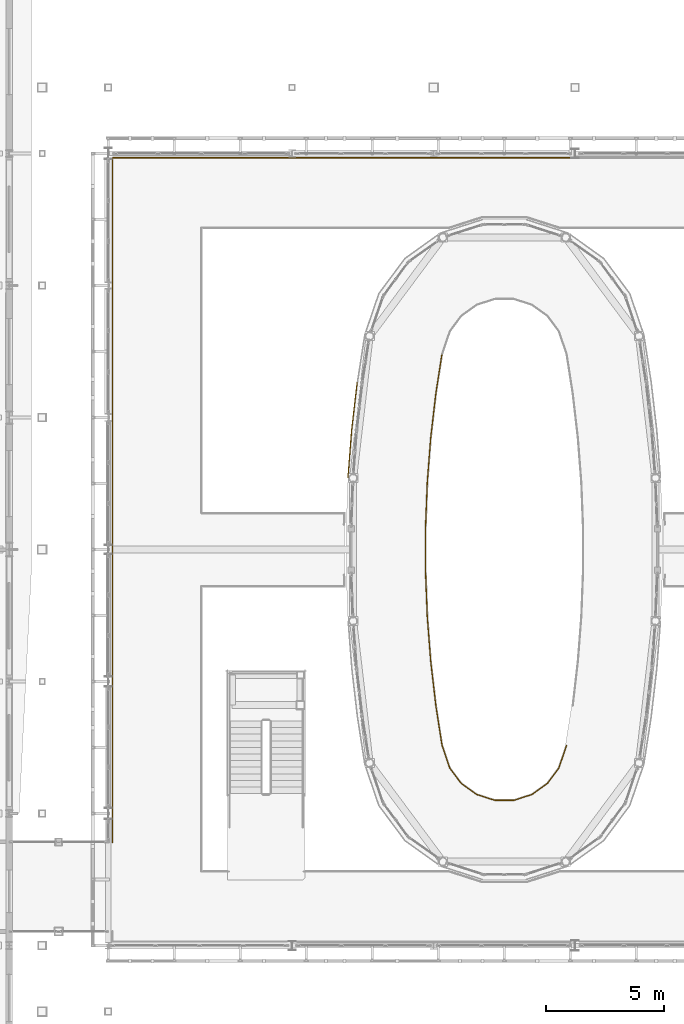
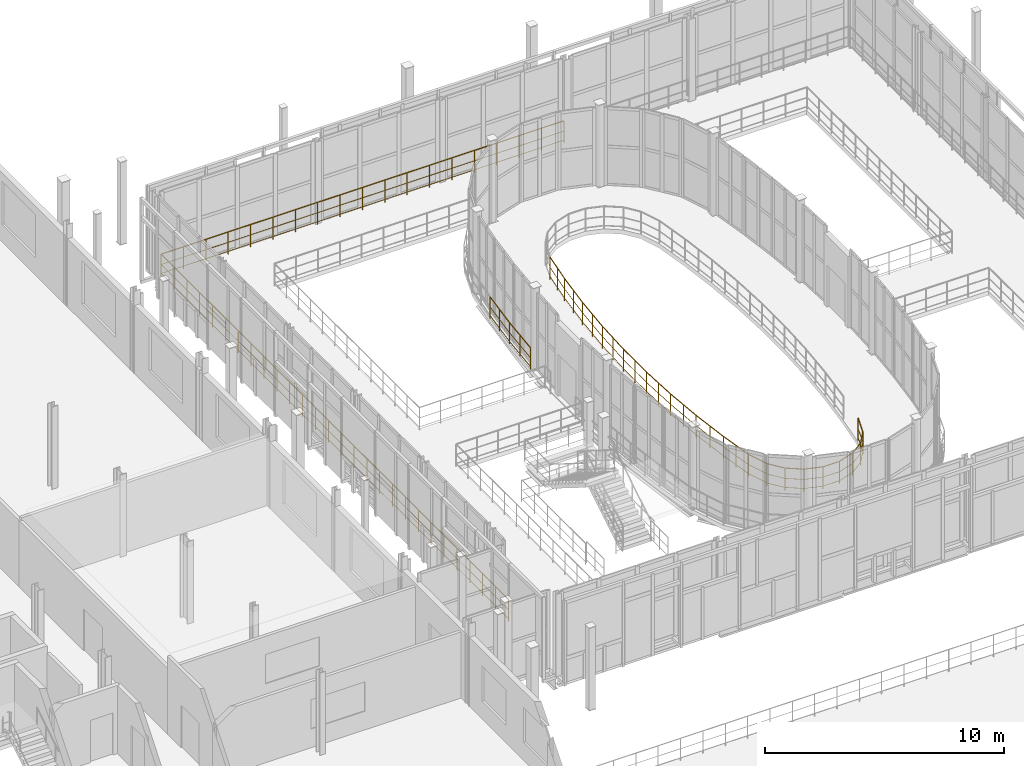
# One storey, part 132 of 138: 4 railings.
"""IFC4 building model written with IfcOpenShell, lengths in metres."""

from ifc_helpers import new_model, si_unit, direction, frame, origin, origin_2d, place, context, subcontext, project, spatial, circle, extrude, material, type_object, element, save


model = new_model("IFC4")

# Units and contexts
model_context = context("Model", 3, precision=1e-05, world=origin(), true_north=direction((0.0, 1.0)))
body_context = subcontext(model_context, "Body", "Model", "MODEL_VIEW")
ifc_project = project(units=[si_unit("LENGTHUNIT", "METRE"), si_unit("AREAUNIT", "SQUARE_METRE"), si_unit("VOLUMEUNIT", "CUBIC_METRE"), si_unit("PLANEANGLEUNIT", "RADIAN"), si_unit("MASSUNIT", "GRAM", prefix="KILO")], contexts=[model_context])

# Site, building, storey
site_placement = place(None, origin())
site = spatial("IfcSite", under=ifc_project, at=site_placement, CompositionType="ELEMENT")
building_placement = place(site_placement, origin())
building = spatial("IfcBuilding", under=site, at=building_placement, Name="Vinh Khe Railworks Police Headquarters", CompositionType="ELEMENT")
storey_placement = place(building_placement, frame((0.0, 0.0, 9.0)))
storey = spatial("IfcBuildingStorey", under=building, at=storey_placement, Name="L02", CompositionType="ELEMENT", Elevation=9.0)

# Railings
ifc_material_1 = material(Name="Dark steel and laminated safety glass", Category="steel")
railing_type_1 = type_object("IfcRailingType", Name="RL-ATRIUM-1150", PredefinedType="BALUSTRADE", material=ifc_material_1)
railing_1_placement = place(storey_placement, frame((46.02490234375, 58.6201171875, 0.0)))
element("IfcRailing", 1, at=railing_1_placement, inside=storey, type_object=railing_type_1, Name="Atrium Balustrade GR-V1PERIM-L02-06", PredefinedType="BALUSTRADE", context=body_context, shape_type="SweptSolid", body=[
    extrude(circle(Radius=0.02392578125, at=origin_2d()), frame((0.0, 0.0, 1.1259765625), z_axis=(-1.0, 0.0, 0.0), x_axis=(0.0, -1.0, 0.0)), (0.0, 0.0, 1.0), 19.44482421875),
    extrude(circle(Radius=0.01416015625, at=origin_2d()), frame((0.0, 0.0, 0.137939453125), z_axis=(-1.0, 0.0, 0.0), x_axis=(0.0, -1.0, 0.0)), (0.0, 0.0, 1.0), 19.44482421875),
    extrude(circle(Radius=0.01416015625, at=origin_2d()), frame((0.0, 0.0, 0.597900390625), z_axis=(-1.0, 0.0, 0.0), x_axis=(0.0, -1.0, 0.0)), (0.0, 0.0, 1.0), 19.44482421875),
    extrude(circle(Radius=0.02392578125, at=origin_2d()), frame((-19.44482421875, 0.0, 1.1259765625), z_axis=(0.0, -1.0, 0.0), x_axis=(1.0, 0.0, 0.0)), (0.0, 0.0, 1.0), 29.0400390625),
    extrude(circle(Radius=0.01416015625, at=origin_2d()), frame((-19.44482421875, 0.0, 0.137939453125), z_axis=(0.0, -1.0, 0.0), x_axis=(1.0, 0.0, 0.0)), (0.0, 0.0, 1.0), 29.0400390625),
    extrude(circle(Radius=0.01416015625, at=origin_2d()), frame((-19.44482421875, 0.0, 0.597900390625), z_axis=(0.0, -1.0, 0.0), x_axis=(1.0, 0.0, 0.0)), (0.0, 0.0, 1.0), 29.0400390625),
    extrude(circle(Radius=0.02099609375, at=origin_2d()), origin(), (0.0, 0.0, 1.0), 1.101806640625),
    extrude(circle(Radius=0.02099609375, at=origin_2d()), frame((-1.080322265625, 0.0, 0.0)), (0.0, 0.0, 1.0), 1.101806640625),
    extrude(circle(Radius=0.02099609375, at=origin_2d()), frame((-2.16064453125, 0.0, 0.0)), (0.0, 0.0, 1.0), 1.101806640625),
    extrude(circle(Radius=0.02099609375, at=origin_2d()), frame((-3.24072265625, 0.0, 0.0)), (0.0, 0.0, 1.0), 1.101806640625),
    extrude(circle(Radius=0.02099609375, at=origin_2d()), frame((-4.321044921875, 0.0, 0.0)), (0.0, 0.0, 1.0), 1.101806640625),
    extrude(circle(Radius=0.02099609375, at=origin_2d()), frame((-5.4013671875, 0.0, 0.0)), (0.0, 0.0, 1.0), 1.101806640625),
    extrude(circle(Radius=0.02099609375, at=origin_2d()), frame((-6.481689453125, 0.0, 0.0)), (0.0, 0.0, 1.0), 1.101806640625),
    extrude(circle(Radius=0.02099609375, at=origin_2d()), frame((-7.561767578125, 0.0, 0.0)), (0.0, 0.0, 1.0), 1.101806640625),
    extrude(circle(Radius=0.02099609375, at=origin_2d()), frame((-8.64208984375, 0.0, 0.0)), (0.0, 0.0, 1.0), 1.101806640625),
    extrude(circle(Radius=0.02099609375, at=origin_2d()), frame((-9.722412109375, 0.0, 0.0)), (0.0, 0.0, 1.0), 1.101806640625),
    extrude(circle(Radius=0.02099609375, at=origin_2d()), frame((-10.802734375, 0.0, 0.0)), (0.0, 0.0, 1.0), 1.101806640625),
    extrude(circle(Radius=0.02099609375, at=origin_2d()), frame((-11.883056640625, 0.0, 0.0)), (0.0, 0.0, 1.0), 1.101806640625),
    extrude(circle(Radius=0.02099609375, at=origin_2d()), frame((-12.963134765625, 0.0, 0.0)), (0.0, 0.0, 1.0), 1.101806640625),
    extrude(circle(Radius=0.02099609375, at=origin_2d()), frame((-14.04345703125, 0.0, 0.0)), (0.0, 0.0, 1.0), 1.101806640625),
    extrude(circle(Radius=0.02099609375, at=origin_2d()), frame((-15.123779296875, 0.0, 0.0)), (0.0, 0.0, 1.0), 1.101806640625),
    extrude(circle(Radius=0.02099609375, at=origin_2d()), frame((-16.2041015625, 0.0, 0.0)), (0.0, 0.0, 1.0), 1.101806640625),
    extrude(circle(Radius=0.02099609375, at=origin_2d()), frame((-17.2841796875, 0.0, 0.0)), (0.0, 0.0, 1.0), 1.101806640625),
    extrude(circle(Radius=0.02099609375, at=origin_2d()), frame((-18.364501953125, 0.0, 0.0)), (0.0, 0.0, 1.0), 1.101806640625),
    extrude(circle(Radius=0.02099609375, at=origin_2d()), frame((-19.44482421875, 0.0, 0.0)), (0.0, 0.0, 1.0), 1.101806640625),
    extrude(circle(Radius=0.02099609375, at=origin_2d()), frame((-19.44482421875, -1.075439453125, 0.0)), (0.0, 0.0, 1.0), 1.101806640625),
    extrude(circle(Radius=0.02099609375, at=origin_2d()), frame((-19.44482421875, -2.151123046875, 0.0)), (0.0, 0.0, 1.0), 1.101806640625),
    extrude(circle(Radius=0.02099609375, at=origin_2d()), frame((-19.44482421875, -3.2265625, 0.0)), (0.0, 0.0, 1.0), 1.101806640625),
    extrude(circle(Radius=0.02099609375, at=origin_2d()), frame((-19.44482421875, -4.30224609375, 0.0)), (0.0, 0.0, 1.0), 1.101806640625),
    extrude(circle(Radius=0.02099609375, at=origin_2d()), frame((-19.44482421875, -5.377685546875, 0.0)), (0.0, 0.0, 1.0), 1.101806640625),
    extrude(circle(Radius=0.02099609375, at=origin_2d()), frame((-19.44482421875, -6.453369140625, 0.0)), (0.0, 0.0, 1.0), 1.101806640625),
    extrude(circle(Radius=0.02099609375, at=origin_2d()), frame((-19.44482421875, -7.52880859375, 0.0)), (0.0, 0.0, 1.0), 1.101806640625),
    extrude(circle(Radius=0.02099609375, at=origin_2d()), frame((-19.44482421875, -8.6044921875, 0.0)), (0.0, 0.0, 1.0), 1.101806640625),
    extrude(circle(Radius=0.02099609375, at=origin_2d()), frame((-19.44482421875, -9.679931640625, 0.0)), (0.0, 0.0, 1.0), 1.101806640625),
    extrude(circle(Radius=0.02099609375, at=origin_2d()), frame((-19.44482421875, -10.755615234375, 0.0)), (0.0, 0.0, 1.0), 1.101806640625),
    extrude(circle(Radius=0.02099609375, at=origin_2d()), frame((-19.44482421875, -11.8310546875, 0.0)), (0.0, 0.0, 1.0), 1.101806640625),
    extrude(circle(Radius=0.02099609375, at=origin_2d()), frame((-19.44482421875, -12.90673828125, 0.0)), (0.0, 0.0, 1.0), 1.101806640625),
    extrude(circle(Radius=0.02099609375, at=origin_2d()), frame((-19.44482421875, -13.982177734375, 0.0)), (0.0, 0.0, 1.0), 1.101806640625),
    extrude(circle(Radius=0.02099609375, at=origin_2d()), frame((-19.44482421875, -15.057861328125, 0.0)), (0.0, 0.0, 1.0), 1.101806640625),
    extrude(circle(Radius=0.02099609375, at=origin_2d()), frame((-19.44482421875, -16.13330078125, 0.0)), (0.0, 0.0, 1.0), 1.101806640625),
    extrude(circle(Radius=0.02099609375, at=origin_2d()), frame((-19.44482421875, -17.208984375, 0.0)), (0.0, 0.0, 1.0), 1.101806640625),
    extrude(circle(Radius=0.02099609375, at=origin_2d()), frame((-19.44482421875, -18.284423828125, 0.0)), (0.0, 0.0, 1.0), 1.101806640625),
    extrude(circle(Radius=0.02099609375, at=origin_2d()), frame((-19.44482421875, -19.360107421875, 0.0)), (0.0, 0.0, 1.0), 1.101806640625),
    extrude(circle(Radius=0.02099609375, at=origin_2d()), frame((-19.44482421875, -20.435546875, 0.0)), (0.0, 0.0, 1.0), 1.101806640625),
    extrude(circle(Radius=0.02099609375, at=origin_2d()), frame((-19.44482421875, -21.51123046875, 0.0)), (0.0, 0.0, 1.0), 1.101806640625),
    extrude(circle(Radius=0.02099609375, at=origin_2d()), frame((-19.44482421875, -22.586669921875, 0.0)), (0.0, 0.0, 1.0), 1.101806640625),
    extrude(circle(Radius=0.02099609375, at=origin_2d()), frame((-19.44482421875, -23.662353515625, 0.0)), (0.0, 0.0, 1.0), 1.101806640625),
    extrude(circle(Radius=0.02099609375, at=origin_2d()), frame((-19.44482421875, -24.73779296875, 0.0)), (0.0, 0.0, 1.0), 1.101806640625),
    extrude(circle(Radius=0.02099609375, at=origin_2d()), frame((-19.44482421875, -25.8134765625, 0.0)), (0.0, 0.0, 1.0), 1.101806640625),
    extrude(circle(Radius=0.02099609375, at=origin_2d()), frame((-19.44482421875, -26.888916015625, 0.0)), (0.0, 0.0, 1.0), 1.101806640625),
    extrude(circle(Radius=0.02099609375, at=origin_2d()), frame((-19.44482421875, -27.964599609375, 0.0)), (0.0, 0.0, 1.0), 1.101806640625),
    extrude(circle(Radius=0.02099609375, at=origin_2d()), frame((-19.44482421875, -29.0400390625, 0.0)), (0.0, 0.0, 1.0), 1.101806640625),
])
railing_2_placement = place(storey_placement, frame((45.8427734375, 33.699951171875, 0.0)))
element("IfcRailing", 2, at=railing_2_placement, inside=storey, type_object=railing_type_1, Name="Atrium Balustrade GR-V2HOLE-L02-1-01", PredefinedType="BALUSTRADE", context=body_context, shape_type="SweptSolid", body=[
    extrude(circle(Radius=0.02392578125, at=origin_2d()), frame((0.0, 0.0, 1.1259765625), z_axis=(-0.322862990684, -0.94644571384, 0.0), x_axis=(0.94644571384, -0.322862990684, 0.0)), (0.0, 0.0, 1.0), 1.025390625),
    extrude(circle(Radius=0.01416015625, at=origin_2d()), frame((0.0, 0.0, 0.137939453125), z_axis=(-0.322862990684, -0.94644571384, 0.0), x_axis=(0.94644571384, -0.322862990684, 0.0)), (0.0, 0.0, 1.0), 1.025390625),
    extrude(circle(Radius=0.01416015625, at=origin_2d()), frame((0.0, 0.0, 0.597900390625), z_axis=(-0.322862990684, -0.94644571384, 0.0), x_axis=(0.94644571384, -0.322862990684, 0.0)), (0.0, 0.0, 1.0), 1.025390625),
    extrude(circle(Radius=0.02392578125, at=origin_2d()), frame((-0.3310546875, -0.970458984375, 1.1259765625), z_axis=(-0.596657848959, -0.802495739101, 0.0), x_axis=(0.802495739101, -0.596657848959, 0.0)), (0.0, 0.0, 1.0), 0.8076171875),
    extrude(circle(Radius=0.01416015625, at=origin_2d()), frame((-0.3310546875, -0.970458984375, 0.137939453125), z_axis=(-0.596657848959, -0.802495739101, 0.0), x_axis=(0.802495739101, -0.596657848959, 0.0)), (0.0, 0.0, 1.0), 0.8076171875),
    extrude(circle(Radius=0.01416015625, at=origin_2d()), frame((-0.3310546875, -0.970458984375, 0.597900390625), z_axis=(-0.596657848959, -0.802495739101, 0.0), x_axis=(0.802495739101, -0.596657848959, 0.0)), (0.0, 0.0, 1.0), 0.8076171875),
    extrude(circle(Radius=0.02392578125, at=origin_2d()), frame((-0.81298828125, -1.61865234375, 1.1259765625), z_axis=(-0.813079421677, -0.58215277552, 0.0), x_axis=(0.58215277552, -0.813079421677, 0.0)), (0.0, 0.0, 1.0), 0.8076171875),
    extrude(circle(Radius=0.01416015625, at=origin_2d()), frame((-0.81298828125, -1.61865234375, 0.137939453125), z_axis=(-0.813079421677, -0.58215277552, 0.0), x_axis=(0.58215277552, -0.813079421677, 0.0)), (0.0, 0.0, 1.0), 0.8076171875),
    extrude(circle(Radius=0.01416015625, at=origin_2d()), frame((-0.81298828125, -1.61865234375, 0.597900390625), z_axis=(-0.813079421677, -0.58215277552, 0.0), x_axis=(0.58215277552, -0.813079421677, 0.0)), (0.0, 0.0, 1.0), 0.8076171875),
    extrude(circle(Radius=0.02392578125, at=origin_2d()), frame((-1.4697265625, -2.0888671875, 1.1259765625), z_axis=(-0.952160564229, -0.305598200138, 0.0), x_axis=(0.305598200138, -0.952160564229, 0.0)), (0.0, 0.0, 1.0), 0.8076171875),
    extrude(circle(Radius=0.01416015625, at=origin_2d()), frame((-1.4697265625, -2.0888671875, 0.137939453125), z_axis=(-0.952160564229, -0.305598200138, 0.0), x_axis=(0.305598200138, -0.952160564229, 0.0)), (0.0, 0.0, 1.0), 0.8076171875),
    extrude(circle(Radius=0.01416015625, at=origin_2d()), frame((-1.4697265625, -2.0888671875, 0.597900390625), z_axis=(-0.952160564229, -0.305598200138, 0.0), x_axis=(0.305598200138, -0.952160564229, 0.0)), (0.0, 0.0, 1.0), 0.8076171875),
    extrude(circle(Radius=0.02392578125, at=origin_2d()), frame((-2.23876953125, -2.335693359375, 1.1259765625), z_axis=(-1.0, 0.0, 0.0), x_axis=(0.0, -1.0, 0.0)), (0.0, 0.0, 1.0), 0.807861328125),
    extrude(circle(Radius=0.01416015625, at=origin_2d()), frame((-2.23876953125, -2.335693359375, 0.137939453125), z_axis=(-1.0, 0.0, 0.0), x_axis=(0.0, -1.0, 0.0)), (0.0, 0.0, 1.0), 0.807861328125),
    extrude(circle(Radius=0.01416015625, at=origin_2d()), frame((-2.23876953125, -2.335693359375, 0.597900390625), z_axis=(-1.0, 0.0, 0.0), x_axis=(0.0, -1.0, 0.0)), (0.0, 0.0, 1.0), 0.807861328125),
    extrude(circle(Radius=0.02392578125, at=origin_2d()), frame((-3.046630859375, -2.335693359375, 1.1259765625), z_axis=(-0.952160564229, 0.305598200138, 0.0), x_axis=(-0.305598200138, -0.952160564229, 0.0)), (0.0, 0.0, 1.0), 0.8076171875),
    extrude(circle(Radius=0.01416015625, at=origin_2d()), frame((-3.046630859375, -2.335693359375, 0.137939453125), z_axis=(-0.952160564229, 0.305598200138, 0.0), x_axis=(-0.305598200138, -0.952160564229, 0.0)), (0.0, 0.0, 1.0), 0.8076171875),
    extrude(circle(Radius=0.01416015625, at=origin_2d()), frame((-3.046630859375, -2.335693359375, 0.597900390625), z_axis=(-0.952160564229, 0.305598200138, 0.0), x_axis=(-0.305598200138, -0.952160564229, 0.0)), (0.0, 0.0, 1.0), 0.8076171875),
    extrude(circle(Radius=0.02392578125, at=origin_2d()), frame((-3.815673828125, -2.0888671875, 1.1259765625), z_axis=(-0.813181820402, 0.58200973099, 0.0), x_axis=(-0.58200973099, -0.813181820402, 0.0)), (0.0, 0.0, 1.0), 0.807861328125),
    extrude(circle(Radius=0.01416015625, at=origin_2d()), frame((-3.815673828125, -2.0888671875, 0.137939453125), z_axis=(-0.813181820402, 0.58200973099, 0.0), x_axis=(-0.58200973099, -0.813181820402, 0.0)), (0.0, 0.0, 1.0), 0.807861328125),
    extrude(circle(Radius=0.01416015625, at=origin_2d()), frame((-3.815673828125, -2.0888671875, 0.597900390625), z_axis=(-0.813181820402, 0.58200973099, 0.0), x_axis=(-0.58200973099, -0.813181820402, 0.0)), (0.0, 0.0, 1.0), 0.807861328125),
    extrude(circle(Radius=0.02392578125, at=origin_2d()), frame((-4.47265625, -1.61865234375, 1.1259765625), z_axis=(-0.596657848959, 0.802495739101, 0.0), x_axis=(-0.802495739101, -0.596657848959, 0.0)), (0.0, 0.0, 1.0), 0.8076171875),
    extrude(circle(Radius=0.01416015625, at=origin_2d()), frame((-4.47265625, -1.61865234375, 0.137939453125), z_axis=(-0.596657848959, 0.802495739101, 0.0), x_axis=(-0.802495739101, -0.596657848959, 0.0)), (0.0, 0.0, 1.0), 0.8076171875),
    extrude(circle(Radius=0.01416015625, at=origin_2d()), frame((-4.47265625, -1.61865234375, 0.597900390625), z_axis=(-0.596657848959, 0.802495739101, 0.0), x_axis=(-0.802495739101, -0.596657848959, 0.0)), (0.0, 0.0, 1.0), 0.8076171875),
    extrude(circle(Radius=0.02392578125, at=origin_2d()), frame((-4.95458984375, -0.970458984375, 1.1259765625), z_axis=(-0.322649686161, 0.946518452023, 0.0), x_axis=(-0.946518452023, -0.322649686161, 0.0)), (0.0, 0.0, 1.0), 1.025390625),
    extrude(circle(Radius=0.01416015625, at=origin_2d()), frame((-4.95458984375, -0.970458984375, 0.137939453125), z_axis=(-0.322649686161, 0.946518452023, 0.0), x_axis=(-0.946518452023, -0.322649686161, 0.0)), (0.0, 0.0, 1.0), 1.025390625),
    extrude(circle(Radius=0.01416015625, at=origin_2d()), frame((-4.95458984375, -0.970458984375, 0.597900390625), z_axis=(-0.322649686161, 0.946518452023, 0.0), x_axis=(-0.946518452023, -0.322649686161, 0.0)), (0.0, 0.0, 1.0), 1.025390625),
    extrude(circle(Radius=0.02392578125, at=origin_2d()), frame((-5.285400390625, 0.0, 1.1259765625), z_axis=(-0.153471395773, 0.98815309071, 0.0), x_axis=(-0.98815309071, -0.153471395773, 0.0)), (0.0, 0.0, 1.0), 1.686279296875),
    extrude(circle(Radius=0.01416015625, at=origin_2d()), frame((-5.285400390625, 0.0, 0.137939453125), z_axis=(-0.153471395773, 0.98815309071, 0.0), x_axis=(-0.98815309071, -0.153471395773, 0.0)), (0.0, 0.0, 1.0), 1.686279296875),
    extrude(circle(Radius=0.01416015625, at=origin_2d()), frame((-5.285400390625, 0.0, 0.597900390625), z_axis=(-0.153471395773, 0.98815309071, 0.0), x_axis=(-0.98815309071, -0.153471395773, 0.0)), (0.0, 0.0, 1.0), 1.686279296875),
    extrude(circle(Radius=0.02392578125, at=origin_2d()), frame((-5.544189453125, 1.666259765625, 1.1259765625), z_axis=(-0.115335822068, 0.993326556651, 0.0), x_axis=(-0.993326556651, -0.115335822068, 0.0)), (0.0, 0.0, 1.0), 1.90087890625),
    extrude(circle(Radius=0.01416015625, at=origin_2d()), frame((-5.544189453125, 1.666259765625, 0.137939453125), z_axis=(-0.115335822068, 0.993326556651, 0.0), x_axis=(-0.993326556651, -0.115335822068, 0.0)), (0.0, 0.0, 1.0), 1.90087890625),
    extrude(circle(Radius=0.01416015625, at=origin_2d()), frame((-5.544189453125, 1.666259765625, 0.597900390625), z_axis=(-0.115335822068, 0.993326556651, 0.0), x_axis=(-0.993326556651, -0.115335822068, 0.0)), (0.0, 0.0, 1.0), 1.90087890625),
    extrude(circle(Radius=0.02392578125, at=origin_2d()), frame((-5.763427734375, 3.554443359375, 1.1259765625), z_axis=(-0.076922361457, 0.997037085723, 0.0), x_axis=(-0.997037085723, -0.076922361457, 0.0)), (0.0, 0.0, 1.0), 1.901123046875),
    extrude(circle(Radius=0.01416015625, at=origin_2d()), frame((-5.763427734375, 3.554443359375, 0.137939453125), z_axis=(-0.076922361457, 0.997037085723, 0.0), x_axis=(-0.997037085723, -0.076922361457, 0.0)), (0.0, 0.0, 1.0), 1.901123046875),
    extrude(circle(Radius=0.01416015625, at=origin_2d()), frame((-5.763427734375, 3.554443359375, 0.597900390625), z_axis=(-0.076922361457, 0.997037085723, 0.0), x_axis=(-0.997037085723, -0.076922361457, 0.0)), (0.0, 0.0, 1.0), 1.901123046875),
    extrude(circle(Radius=0.02392578125, at=origin_2d()), frame((-5.90966796875, 5.449951171875, 1.1259765625), z_axis=(-0.038655061914, 0.999252613801, 0.0), x_axis=(-0.999252613801, -0.038655061914, 0.0)), (0.0, 0.0, 1.0), 1.901123046875),
    extrude(circle(Radius=0.01416015625, at=origin_2d()), frame((-5.90966796875, 5.449951171875, 0.137939453125), z_axis=(-0.038655061914, 0.999252613801, 0.0), x_axis=(-0.999252613801, -0.038655061914, 0.0)), (0.0, 0.0, 1.0), 1.901123046875),
    extrude(circle(Radius=0.01416015625, at=origin_2d()), frame((-5.90966796875, 5.449951171875, 0.597900390625), z_axis=(-0.038655061914, 0.999252613801, 0.0), x_axis=(-0.999252613801, -0.038655061914, 0.0)), (0.0, 0.0, 1.0), 1.901123046875),
    extrude(circle(Radius=0.02392578125, at=origin_2d()), frame((-5.983154296875, 7.349609375, 1.1259765625), z_axis=(0.0, 1.0, 0.0), x_axis=(-1.0, 0.0, 0.0)), (0.0, 0.0, 1.0), 1.90087890625),
    extrude(circle(Radius=0.01416015625, at=origin_2d()), frame((-5.983154296875, 7.349609375, 0.137939453125), z_axis=(0.0, 1.0, 0.0), x_axis=(-1.0, 0.0, 0.0)), (0.0, 0.0, 1.0), 1.90087890625),
    extrude(circle(Radius=0.01416015625, at=origin_2d()), frame((-5.983154296875, 7.349609375, 0.597900390625), z_axis=(0.0, 1.0, 0.0), x_axis=(-1.0, 0.0, 0.0)), (0.0, 0.0, 1.0), 1.90087890625),
    extrude(circle(Radius=0.02392578125, at=origin_2d()), frame((-5.983154296875, 9.25048828125, 1.1259765625), z_axis=(0.038655061914, 0.999252613801, 0.0), x_axis=(-0.999252613801, 0.038655061914, 0.0)), (0.0, 0.0, 1.0), 1.901123046875),
    extrude(circle(Radius=0.01416015625, at=origin_2d()), frame((-5.983154296875, 9.25048828125, 0.137939453125), z_axis=(0.038655061914, 0.999252613801, 0.0), x_axis=(-0.999252613801, 0.038655061914, 0.0)), (0.0, 0.0, 1.0), 1.901123046875),
    extrude(circle(Radius=0.01416015625, at=origin_2d()), frame((-5.983154296875, 9.25048828125, 0.597900390625), z_axis=(0.038655061914, 0.999252613801, 0.0), x_axis=(-0.999252613801, 0.038655061914, 0.0)), (0.0, 0.0, 1.0), 1.901123046875),
    extrude(circle(Radius=0.02392578125, at=origin_2d()), frame((-5.90966796875, 11.150146484375, 1.1259765625), z_axis=(0.076922361457, 0.997037085723, 0.0), x_axis=(-0.997037085723, 0.076922361457, 0.0)), (0.0, 0.0, 1.0), 1.901123046875),
    extrude(circle(Radius=0.01416015625, at=origin_2d()), frame((-5.90966796875, 11.150146484375, 0.137939453125), z_axis=(0.076922361457, 0.997037085723, 0.0), x_axis=(-0.997037085723, 0.076922361457, 0.0)), (0.0, 0.0, 1.0), 1.901123046875),
    extrude(circle(Radius=0.01416015625, at=origin_2d()), frame((-5.90966796875, 11.150146484375, 0.597900390625), z_axis=(0.076922361457, 0.997037085723, 0.0), x_axis=(-0.997037085723, 0.076922361457, 0.0)), (0.0, 0.0, 1.0), 1.901123046875),
    extrude(circle(Radius=0.02392578125, at=origin_2d()), frame((-5.763427734375, 13.045654296875, 1.1259765625), z_axis=(0.115335822068, 0.993326556651, 0.0), x_axis=(-0.993326556651, 0.115335822068, 0.0)), (0.0, 0.0, 1.0), 1.90087890625),
    extrude(circle(Radius=0.01416015625, at=origin_2d()), frame((-5.763427734375, 13.045654296875, 0.137939453125), z_axis=(0.115335822068, 0.993326556651, 0.0), x_axis=(-0.993326556651, 0.115335822068, 0.0)), (0.0, 0.0, 1.0), 1.90087890625),
    extrude(circle(Radius=0.01416015625, at=origin_2d()), frame((-5.763427734375, 13.045654296875, 0.597900390625), z_axis=(0.115335822068, 0.993326556651, 0.0), x_axis=(-0.993326556651, 0.115335822068, 0.0)), (0.0, 0.0, 1.0), 1.90087890625),
    extrude(circle(Radius=0.02392578125, at=origin_2d()), frame((-5.544189453125, 14.933837890625, 1.1259765625), z_axis=(0.153471395773, 0.98815309071, 0.0), x_axis=(-0.98815309071, 0.153471395773, 0.0)), (0.0, 0.0, 1.0), 1.686279296875),
    extrude(circle(Radius=0.01416015625, at=origin_2d()), frame((-5.544189453125, 14.933837890625, 0.137939453125), z_axis=(0.153471395773, 0.98815309071, 0.0), x_axis=(-0.98815309071, 0.153471395773, 0.0)), (0.0, 0.0, 1.0), 1.686279296875),
    extrude(circle(Radius=0.01416015625, at=origin_2d()), frame((-5.544189453125, 14.933837890625, 0.597900390625), z_axis=(0.153471395773, 0.98815309071, 0.0), x_axis=(-0.98815309071, 0.153471395773, 0.0)), (0.0, 0.0, 1.0), 1.686279296875),
    extrude(circle(Radius=0.02099609375, at=origin_2d()), origin(), (0.0, 0.0, 1.0), 1.101806640625),
    extrude(circle(Radius=0.02099609375, at=origin_2d()), frame((-0.3310546875, -0.970458984375, 0.0)), (0.0, 0.0, 1.0), 1.101806640625),
    extrude(circle(Radius=0.02099609375, at=origin_2d()), frame((-0.81298828125, -1.61865234375, 0.0)), (0.0, 0.0, 1.0), 1.101806640625),
    extrude(circle(Radius=0.02099609375, at=origin_2d()), frame((-1.4697265625, -2.0888671875, 0.0)), (0.0, 0.0, 1.0), 1.101806640625),
    extrude(circle(Radius=0.02099609375, at=origin_2d()), frame((-2.23876953125, -2.335693359375, 0.0)), (0.0, 0.0, 1.0), 1.101806640625),
    extrude(circle(Radius=0.02099609375, at=origin_2d()), frame((-3.046630859375, -2.335693359375, 0.0)), (0.0, 0.0, 1.0), 1.101806640625),
    extrude(circle(Radius=0.02099609375, at=origin_2d()), frame((-3.815673828125, -2.0888671875, 0.0)), (0.0, 0.0, 1.0), 1.101806640625),
    extrude(circle(Radius=0.02099609375, at=origin_2d()), frame((-4.47265625, -1.61865234375, 0.0)), (0.0, 0.0, 1.0), 1.101806640625),
    extrude(circle(Radius=0.02099609375, at=origin_2d()), frame((-4.95458984375, -0.970458984375, 0.0)), (0.0, 0.0, 1.0), 1.101806640625),
    extrude(circle(Radius=0.02099609375, at=origin_2d()), frame((-5.285400390625, 0.0, 0.0)), (0.0, 0.0, 1.0), 1.101806640625),
    extrude(circle(Radius=0.02099609375, at=origin_2d()), frame((-5.414794921875, 0.8330078125, 0.0)), (0.0, 0.0, 1.0), 1.101806640625),
    extrude(circle(Radius=0.02099609375, at=origin_2d()), frame((-5.544189453125, 1.666259765625, 0.0)), (0.0, 0.0, 1.0), 1.101806640625),
    extrude(circle(Radius=0.02099609375, at=origin_2d()), frame((-5.65380859375, 2.6103515625, 0.0)), (0.0, 0.0, 1.0), 1.101806640625),
    extrude(circle(Radius=0.02099609375, at=origin_2d()), frame((-5.763427734375, 3.554443359375, 0.0)), (0.0, 0.0, 1.0), 1.101806640625),
    extrude(circle(Radius=0.02099609375, at=origin_2d()), frame((-5.83642578125, 4.502197265625, 0.0)), (0.0, 0.0, 1.0), 1.101806640625),
    extrude(circle(Radius=0.02099609375, at=origin_2d()), frame((-5.90966796875, 5.449951171875, 0.0)), (0.0, 0.0, 1.0), 1.101806640625),
    extrude(circle(Radius=0.02099609375, at=origin_2d()), frame((-5.9462890625, 6.39990234375, 0.0)), (0.0, 0.0, 1.0), 1.101806640625),
    extrude(circle(Radius=0.02099609375, at=origin_2d()), frame((-5.983154296875, 7.349609375, 0.0)), (0.0, 0.0, 1.0), 1.101806640625),
    extrude(circle(Radius=0.02099609375, at=origin_2d()), frame((-5.983154296875, 8.300048828125, 0.0)), (0.0, 0.0, 1.0), 1.101806640625),
    extrude(circle(Radius=0.02099609375, at=origin_2d()), frame((-5.983154296875, 9.25048828125, 0.0)), (0.0, 0.0, 1.0), 1.101806640625),
    extrude(circle(Radius=0.02099609375, at=origin_2d()), frame((-5.9462890625, 10.2001953125, 0.0)), (0.0, 0.0, 1.0), 1.101806640625),
    extrude(circle(Radius=0.02099609375, at=origin_2d()), frame((-5.90966796875, 11.150146484375, 0.0)), (0.0, 0.0, 1.0), 1.101806640625),
    extrude(circle(Radius=0.02099609375, at=origin_2d()), frame((-5.83642578125, 12.097900390625, 0.0)), (0.0, 0.0, 1.0), 1.101806640625),
    extrude(circle(Radius=0.02099609375, at=origin_2d()), frame((-5.763427734375, 13.045654296875, 0.0)), (0.0, 0.0, 1.0), 1.101806640625),
    extrude(circle(Radius=0.02099609375, at=origin_2d()), frame((-5.65380859375, 13.98974609375, 0.0)), (0.0, 0.0, 1.0), 1.101806640625),
    extrude(circle(Radius=0.02099609375, at=origin_2d()), frame((-5.544189453125, 14.933837890625, 0.0)), (0.0, 0.0, 1.0), 1.101806640625),
    extrude(circle(Radius=0.02099609375, at=origin_2d()), frame((-5.414794921875, 15.76708984375, 0.0)), (0.0, 0.0, 1.0), 1.101806640625),
    extrude(circle(Radius=0.02099609375, at=origin_2d()), frame((-5.285400390625, 16.60009765625, 0.0)), (0.0, 0.0, 1.0), 1.101806640625),
])
ifc_material_2 = material(Name="Painted tubular steel", Category="steel")
railing_type_2 = type_object("IfcRailingType", Name="RL-GUARD-1100", PredefinedType="GUARDRAIL", material=ifc_material_2)
railing_3_placement = place(storey_placement, frame((36.95849609375, 49.0869140625, 0.0)))
element("IfcRailing", 3, at=railing_3_placement, inside=storey, type_object=railing_type_2, Name="Slab Corner Notch Guard L02-71", PredefinedType="GUARDRAIL", context=body_context, shape_type="SweptSolid", body=[
    extrude(circle(Radius=0.02392578125, at=origin_2d()), frame((0.0, 0.0, 1.09619140625), z_axis=(-0.115285701027, -0.993332374958, 0.0), x_axis=(0.993332374958, -0.115285701027, 0.0)), (0.0, 0.0, 1.0), 2.03076171875),
    extrude(circle(Radius=0.01416015625, at=origin_2d()), frame((0.0, 0.0, 0.134521484375), z_axis=(-0.115285701027, -0.993332374958, 0.0), x_axis=(0.993332374958, -0.115285701027, 0.0)), (0.0, 0.0, 1.0), 2.03076171875),
    extrude(circle(Radius=0.01416015625, at=origin_2d()), frame((0.0, 0.0, 0.58251953125), z_axis=(-0.115285701027, -0.993332374958, 0.0), x_axis=(0.993332374958, -0.115285701027, 0.0)), (0.0, 0.0, 1.0), 2.03076171875),
    extrude(circle(Radius=0.02099609375, at=origin_2d()), origin(), (0.0, 0.0, 1.0), 1.072021484375),
    extrude(circle(Radius=0.02099609375, at=origin_2d()), frame((-0.1171875, -1.0087890625, 0.0)), (0.0, 0.0, 1.0), 1.072021484375),
    extrude(circle(Radius=0.02099609375, at=origin_2d()), frame((-0.234130859375, -2.017333984375, 0.0)), (0.0, 0.0, 1.0), 1.072021484375),
])
railing_4_placement = place(storey_placement, frame((36.724365234375, 47.069580078125, 0.0)))
element("IfcRailing", 4, at=railing_4_placement, inside=storey, type_object=railing_type_2, Name="Slab Corner Notch Guard L02-72", PredefinedType="GUARDRAIL", context=body_context, shape_type="SweptSolid", body=[
    extrude(circle(Radius=0.02392578125, at=origin_2d()), frame((0.0, 0.0, 1.09619140625), z_axis=(-0.076944728121, -0.997035359862, 0.0), x_axis=(0.997035359862, -0.076944728121, 0.0)), (0.0, 0.0, 1.0), 2.03076171875),
    extrude(circle(Radius=0.01416015625, at=origin_2d()), frame((0.0, 0.0, 0.134521484375), z_axis=(-0.076944728121, -0.997035359862, 0.0), x_axis=(0.997035359862, -0.076944728121, 0.0)), (0.0, 0.0, 1.0), 2.03076171875),
    extrude(circle(Radius=0.01416015625, at=origin_2d()), frame((0.0, 0.0, 0.58251953125), z_axis=(-0.076944728121, -0.997035359862, 0.0), x_axis=(0.997035359862, -0.076944728121, 0.0)), (0.0, 0.0, 1.0), 2.03076171875),
    extrude(circle(Radius=0.02099609375, at=origin_2d()), origin(), (0.0, 0.0, 1.0), 1.072021484375),
    extrude(circle(Radius=0.02099609375, at=origin_2d()), frame((-0.078125, -1.01220703125, 0.0)), (0.0, 0.0, 1.0), 1.072021484375),
    extrude(circle(Radius=0.02099609375, at=origin_2d()), frame((-0.15625, -2.024658203125, 0.0)), (0.0, 0.0, 1.0), 1.072021484375),
])

save(model, "model.ifc")
